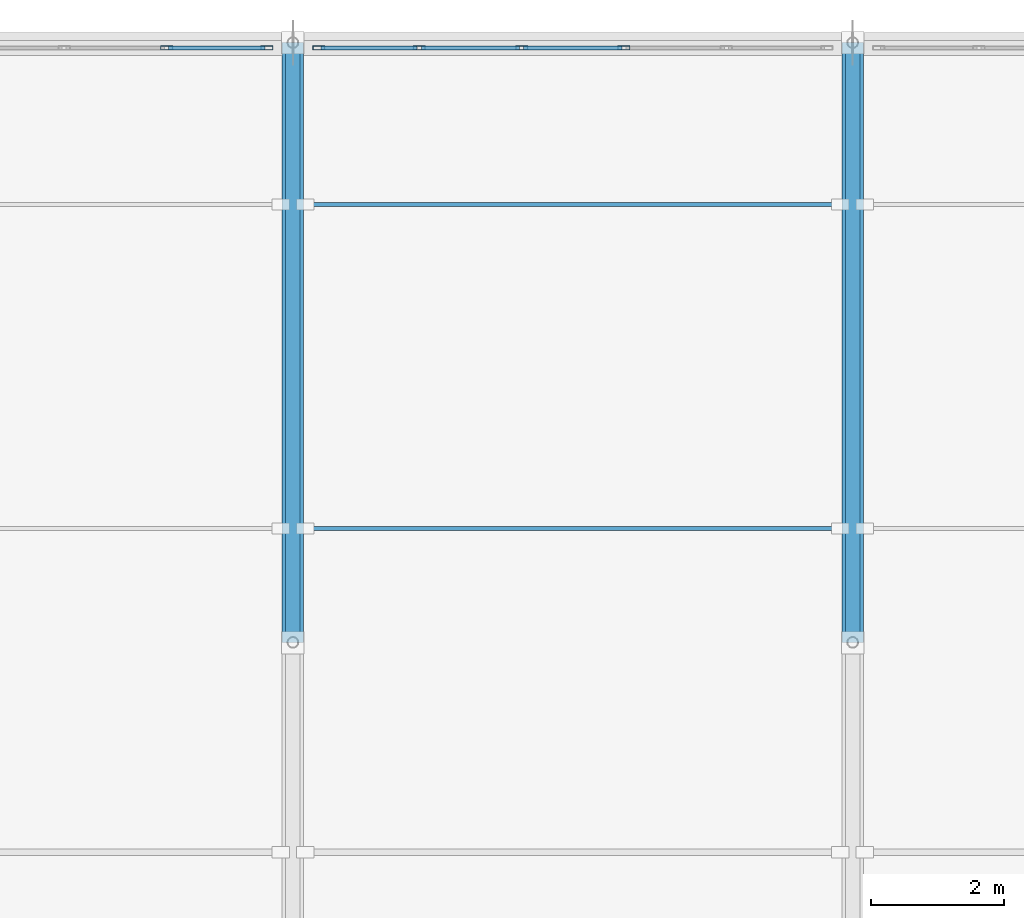
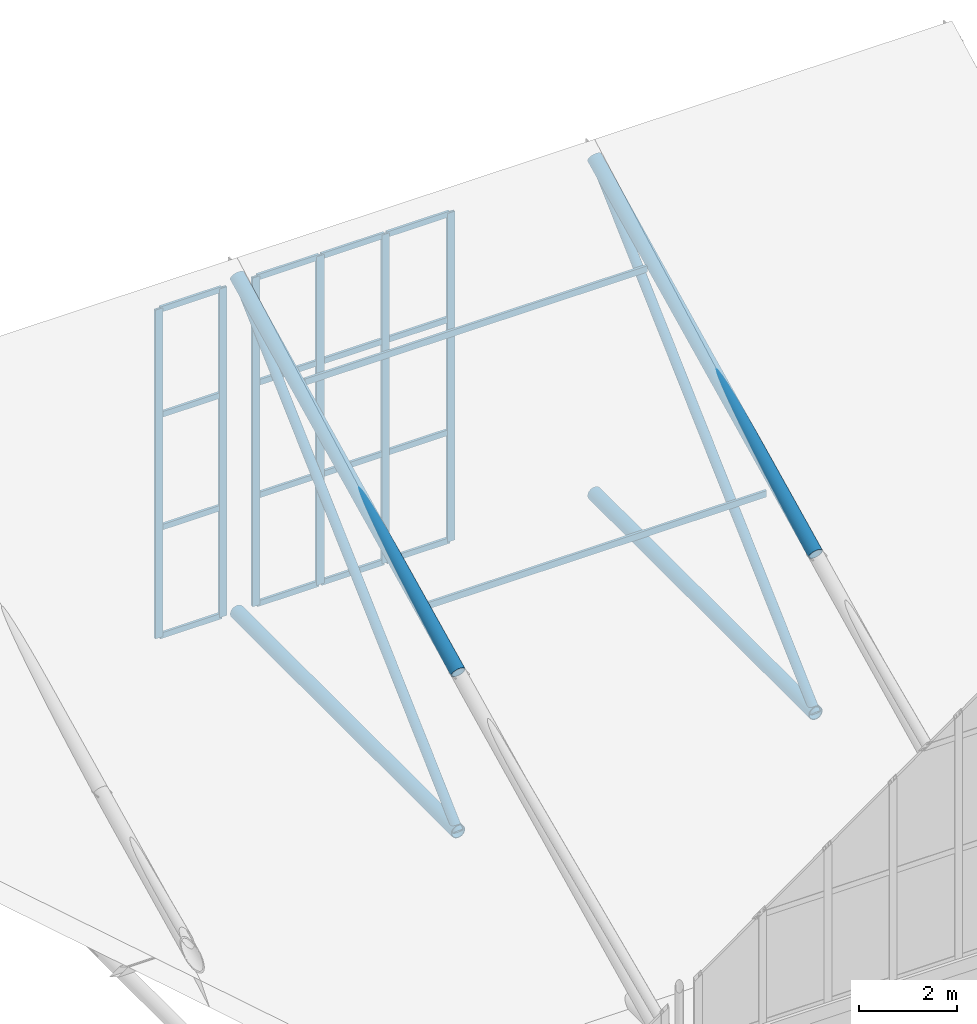
# One storey, part 26 of 38: 30 members, 2 elements without a shape of their own.
"""IFC4 building model written with IfcOpenShell, lengths in metres."""

from ifc_helpers import new_model, si_unit, direction, frame, origin, origin_2d, place, context, subcontext, project, spatial, hollow_rectangle, hollow_circle, extrude, material, material_profile, profile_set, type_object, element, aggregate, save


model = new_model("IFC4")

# Units and contexts
model_context = context("Model", 3, precision=1e-05, world=origin(), true_north=direction((0.0, 1.0)))
body_context = subcontext(model_context, "Body", "Model", "MODEL_VIEW")
ifc_project = project(units=[si_unit("LENGTHUNIT", "METRE"), si_unit("AREAUNIT", "SQUARE_METRE"), si_unit("VOLUMEUNIT", "CUBIC_METRE"), si_unit("PLANEANGLEUNIT", "RADIAN"), si_unit("MASSUNIT", "GRAM", prefix="KILO")], contexts=[model_context])

# Site, building, storey
site_placement = place(None, origin())
site = spatial("IfcSite", under=ifc_project, at=site_placement, CompositionType="ELEMENT")
building_placement = place(site_placement, origin())
building = spatial("IfcBuilding", under=site, at=building_placement, Name="Veltarok Museum of Natural Sciences", CompositionType="ELEMENT")
storey_placement = place(building_placement, frame((0.0, 0.0, 31.199951171875)))
storey = spatial("IfcBuildingStorey", under=building, at=storey_placement, Name="RF", CompositionType="ELEMENT", Elevation=31.199951171875)

# Curtain wall, members
ifc_material_1 = material(Name="Low-iron triple insulated glass", Category="glass")
curtain_wall_type = type_object("IfcCurtainWallType", Name="Curtain Wall System CW-SAW-M2-768x817 (Sawtooth North Clerestory M2 768x817cm)", PredefinedType="NOTDEFINED", material=ifc_material_1)
curtain_wall_1_placement = place(storey_placement, origin())
curtain_wall_1 = element("IfcCurtainWall", 1, at=curtain_wall_1_placement, inside=storey, type_object=curtain_wall_type, Name="Curtain Wall CW-SAW-M2-768x817 CW-SAW-0081", PredefinedType="NOTDEFINED")
ifc_material_2 = material(Name="Thermally broken anodised aluminium", Category="aluminium")
ifc_material_profile_1 = material_profile(ifc_material_2, hollow_rectangle(XDim=0.06005859375, YDim=0.179931640625, WallThickness=0.006103515625, at=origin_2d()), Name="CW MULLION 60x180x6")
ifc_profile_set_1 = profile_set([ifc_material_profile_1], Name="Thermally broken anodised aluminium")
member_type_1 = type_object("IfcMemberType", Name="Sawtooth Clerestory Mullion 60x180x6", PredefinedType="MULLION", material=ifc_profile_set_1)
member_1_placement = place(storey_placement, frame((81.610107421875, 71.919921875, -5.719970703125), z_axis=(0.0, 0.0, 1.0), x_axis=(0.0, -1.0, 0.0)))
member_1 = element("IfcMember", 2, at=member_1_placement, type_object=member_type_1, Name="CW-SAW-M2-768x817 mullion 1", PredefinedType="MULLION", context=body_context, shape_type="SweptSolid", body=[
    extrude(hollow_rectangle(XDim=0.06005859375, YDim=0.179931640625, WallThickness=0.006103515625, at=origin_2d()), origin(), (0.0, 0.0, 1.0), 8.169921875),
])
member_2_placement = place(storey_placement, frame((80.10400390625, 71.919921875, -5.719970703125), z_axis=(0.0, 0.0, 1.0), x_axis=(0.0, -1.0, 0.0)))
member_2 = element("IfcMember", 3, at=member_2_placement, type_object=member_type_1, Name="CW-SAW-M2-768x817 mullion 2", PredefinedType="MULLION", context=body_context, shape_type="SweptSolid", body=[
    extrude(hollow_rectangle(XDim=0.06005859375, YDim=0.179931640625, WallThickness=0.006103515625, at=origin_2d()), origin(), (0.0, 0.0, 1.0), 8.169921875),
])

curtain_wall_2_placement = place(storey_placement, origin())
curtain_wall_2 = element("IfcCurtainWall", 4, at=curtain_wall_2_placement, inside=storey, type_object=curtain_wall_type, Name="Curtain Wall CW-SAW-M2-768x817 CW-SAW-0083", PredefinedType="NOTDEFINED")
member_3_placement = place(storey_placement, frame((86.968017578125, 71.919921875, -5.719970703125), z_axis=(0.0, 0.0, 1.0), x_axis=(0.0, -1.0, 0.0)))
member_3 = element("IfcMember", 5, at=member_3_placement, type_object=member_type_1, Name="CW-SAW-M2-768x817 mullion 3", PredefinedType="MULLION", context=body_context, shape_type="SweptSolid", body=[
    extrude(hollow_rectangle(XDim=0.06005859375, YDim=0.179931640625, WallThickness=0.006103515625, at=origin_2d()), origin(), (0.0, 0.0, 1.0), 8.169921875),
])
member_4_placement = place(storey_placement, frame((85.431884765625, 71.919921875, -5.719970703125), z_axis=(0.0, 0.0, 1.0), x_axis=(0.0, -1.0, 0.0)))
member_4 = element("IfcMember", 6, at=member_4_placement, type_object=member_type_1, Name="CW-SAW-M2-768x817 mullion 4", PredefinedType="MULLION", context=body_context, shape_type="SweptSolid", body=[
    extrude(hollow_rectangle(XDim=0.06005859375, YDim=0.179931640625, WallThickness=0.006103515625, at=origin_2d()), origin(), (0.0, 0.0, 1.0), 8.169921875),
])
member_5_placement = place(storey_placement, frame((83.89599609375, 71.919921875, -5.719970703125), z_axis=(0.0, 0.0, 1.0), x_axis=(0.0, -1.0, 0.0)))
member_5 = element("IfcMember", 7, at=member_5_placement, type_object=member_type_1, Name="CW-SAW-M2-768x817 mullion 5", PredefinedType="MULLION", context=body_context, shape_type="SweptSolid", body=[
    extrude(hollow_rectangle(XDim=0.06005859375, YDim=0.179931640625, WallThickness=0.006103515625, at=origin_2d()), origin(), (0.0, 0.0, 1.0), 8.169921875),
])
member_6_placement = place(storey_placement, frame((82.389892578125, 71.919921875, -5.719970703125), z_axis=(0.0, 0.0, 1.0), x_axis=(0.0, -1.0, 0.0)))
member_6 = element("IfcMember", 8, at=member_6_placement, type_object=member_type_1, Name="CW-SAW-M2-768x817 mullion 6", PredefinedType="MULLION", context=body_context, shape_type="SweptSolid", body=[
    extrude(hollow_rectangle(XDim=0.06005859375, YDim=0.179931640625, WallThickness=0.006103515625, at=origin_2d()), origin(), (0.0, 0.0, 1.0), 8.169921875),
])

# Member
ifc_material_profile_2 = material_profile(ifc_material_2, hollow_rectangle(XDim=0.06005859375, YDim=0.139892578125, WallThickness=0.0048828125, at=origin_2d()), Name="CW TRANSOM 60x140x5")
ifc_profile_set_2 = profile_set([ifc_material_profile_2], Name="Thermally broken anodised aluminium")
member_type_2 = type_object("IfcMemberType", Name="Sawtooth Clerestory Transom 60x140x5", PredefinedType="USERDEFINED", material=ifc_profile_set_2)
member_7_placement = place(storey_placement, frame((81.580078125, 71.919921875, -5.68994140625), z_axis=(-1.0, 0.0, 0.0), x_axis=(0.0, -1.0, 0.0)))
member_7 = element("IfcMember", 9, at=member_7_placement, type_object=member_type_2, Name="CW-SAW-M2-768x817 transom 1.1", ObjectType="TRANSOM", PredefinedType="USERDEFINED", context=body_context, shape_type="SweptSolid", body=[
    extrude(hollow_rectangle(XDim=0.06005859375, YDim=0.139892578125, WallThickness=0.0048828125, at=origin_2d()), origin(), (0.0, 0.0, 1.0), 1.446044921875),
])

member_8_placement = place(storey_placement, frame((81.580078125, 71.919921875, -3.0), z_axis=(-1.0, 0.0, 0.0), x_axis=(0.0, -1.0, 0.0)))
member_8 = element("IfcMember", 10, at=member_8_placement, type_object=member_type_2, Name="CW-SAW-M2-768x817 transom 1.2", ObjectType="TRANSOM", PredefinedType="USERDEFINED", context=body_context, shape_type="SweptSolid", body=[
    extrude(hollow_rectangle(XDim=0.06005859375, YDim=0.139892578125, WallThickness=0.0048828125, at=origin_2d()), origin(), (0.0, 0.0, 1.0), 1.446044921875),
])

member_9_placement = place(storey_placement, frame((81.580078125, 71.919921875, -0.199951171875), z_axis=(-1.0, 0.0, 0.0), x_axis=(0.0, -1.0, 0.0)))
member_9 = element("IfcMember", 11, at=member_9_placement, type_object=member_type_2, Name="CW-SAW-M2-768x817 transom 1.3", ObjectType="TRANSOM", PredefinedType="USERDEFINED", context=body_context, shape_type="SweptSolid", body=[
    extrude(hollow_rectangle(XDim=0.06005859375, YDim=0.139892578125, WallThickness=0.0048828125, at=origin_2d()), origin(), (0.0, 0.0, 1.0), 1.446044921875),
])

member_10_placement = place(storey_placement, frame((81.580078125, 71.919921875, 2.420166015625), z_axis=(-1.0, 0.0, 0.0), x_axis=(0.0, -1.0, 0.0)))
member_10 = element("IfcMember", 12, at=member_10_placement, type_object=member_type_2, Name="CW-SAW-M2-768x817 transom 1.4", ObjectType="TRANSOM", PredefinedType="USERDEFINED", context=body_context, shape_type="SweptSolid", body=[
    extrude(hollow_rectangle(XDim=0.06005859375, YDim=0.139892578125, WallThickness=0.0048828125, at=origin_2d()), origin(), (0.0, 0.0, 1.0), 1.446044921875),
])

aggregate(curtain_wall_1, [member_1, member_2, member_7, member_8, member_9, member_10])

member_11_placement = place(storey_placement, frame((86.93798828125, 71.919921875, -5.68994140625), z_axis=(-1.0, 0.0, 0.0), x_axis=(0.0, -1.0, 0.0)))
member_11 = element("IfcMember", 13, at=member_11_placement, type_object=member_type_2, Name="CW-SAW-M2-768x817 transom 3.1", ObjectType="TRANSOM", PredefinedType="USERDEFINED", context=body_context, shape_type="SweptSolid", body=[
    extrude(hollow_rectangle(XDim=0.06005859375, YDim=0.139892578125, WallThickness=0.0048828125, at=origin_2d()), origin(), (0.0, 0.0, 1.0), 1.47607421875),
])

member_12_placement = place(storey_placement, frame((86.93798828125, 71.919921875, -3.0), z_axis=(-1.0, 0.0, 0.0), x_axis=(0.0, -1.0, 0.0)))
member_12 = element("IfcMember", 14, at=member_12_placement, type_object=member_type_2, Name="CW-SAW-M2-768x817 transom 3.2", ObjectType="TRANSOM", PredefinedType="USERDEFINED", context=body_context, shape_type="SweptSolid", body=[
    extrude(hollow_rectangle(XDim=0.06005859375, YDim=0.139892578125, WallThickness=0.0048828125, at=origin_2d()), origin(), (0.0, 0.0, 1.0), 1.47607421875),
])

member_13_placement = place(storey_placement, frame((86.93798828125, 71.919921875, -0.199951171875), z_axis=(-1.0, 0.0, 0.0), x_axis=(0.0, -1.0, 0.0)))
member_13 = element("IfcMember", 15, at=member_13_placement, type_object=member_type_2, Name="CW-SAW-M2-768x817 transom 3.3", ObjectType="TRANSOM", PredefinedType="USERDEFINED", context=body_context, shape_type="SweptSolid", body=[
    extrude(hollow_rectangle(XDim=0.06005859375, YDim=0.139892578125, WallThickness=0.0048828125, at=origin_2d()), origin(), (0.0, 0.0, 1.0), 1.47607421875),
])

member_14_placement = place(storey_placement, frame((86.93798828125, 71.919921875, 2.420166015625), z_axis=(-1.0, 0.0, 0.0), x_axis=(0.0, -1.0, 0.0)))
member_14 = element("IfcMember", 16, at=member_14_placement, type_object=member_type_2, Name="CW-SAW-M2-768x817 transom 3.4", ObjectType="TRANSOM", PredefinedType="USERDEFINED", context=body_context, shape_type="SweptSolid", body=[
    extrude(hollow_rectangle(XDim=0.06005859375, YDim=0.139892578125, WallThickness=0.0048828125, at=origin_2d()), origin(), (0.0, 0.0, 1.0), 1.47607421875),
])

member_15_placement = place(storey_placement, frame((85.402099609375, 71.919921875, -5.68994140625), z_axis=(-1.0, 0.0, 0.0), x_axis=(0.0, -1.0, 0.0)))
member_15 = element("IfcMember", 17, at=member_15_placement, type_object=member_type_2, Name="CW-SAW-M2-768x817 transom 4.1", ObjectType="TRANSOM", PredefinedType="USERDEFINED", context=body_context, shape_type="SweptSolid", body=[
    extrude(hollow_rectangle(XDim=0.06005859375, YDim=0.139892578125, WallThickness=0.0048828125, at=origin_2d()), origin(), (0.0, 0.0, 1.0), 1.47607421875),
])

member_16_placement = place(storey_placement, frame((85.402099609375, 71.919921875, -3.0), z_axis=(-1.0, 0.0, 0.0), x_axis=(0.0, -1.0, 0.0)))
member_16 = element("IfcMember", 18, at=member_16_placement, type_object=member_type_2, Name="CW-SAW-M2-768x817 transom 4.2", ObjectType="TRANSOM", PredefinedType="USERDEFINED", context=body_context, shape_type="SweptSolid", body=[
    extrude(hollow_rectangle(XDim=0.06005859375, YDim=0.139892578125, WallThickness=0.0048828125, at=origin_2d()), origin(), (0.0, 0.0, 1.0), 1.47607421875),
])

member_17_placement = place(storey_placement, frame((85.402099609375, 71.919921875, -0.199951171875), z_axis=(-1.0, 0.0, 0.0), x_axis=(0.0, -1.0, 0.0)))
member_17 = element("IfcMember", 19, at=member_17_placement, type_object=member_type_2, Name="CW-SAW-M2-768x817 transom 4.3", ObjectType="TRANSOM", PredefinedType="USERDEFINED", context=body_context, shape_type="SweptSolid", body=[
    extrude(hollow_rectangle(XDim=0.06005859375, YDim=0.139892578125, WallThickness=0.0048828125, at=origin_2d()), origin(), (0.0, 0.0, 1.0), 1.47607421875),
])

member_18_placement = place(storey_placement, frame((85.402099609375, 71.919921875, 2.420166015625), z_axis=(-1.0, 0.0, 0.0), x_axis=(0.0, -1.0, 0.0)))
member_18 = element("IfcMember", 20, at=member_18_placement, type_object=member_type_2, Name="CW-SAW-M2-768x817 transom 4.4", ObjectType="TRANSOM", PredefinedType="USERDEFINED", context=body_context, shape_type="SweptSolid", body=[
    extrude(hollow_rectangle(XDim=0.06005859375, YDim=0.139892578125, WallThickness=0.0048828125, at=origin_2d()), origin(), (0.0, 0.0, 1.0), 1.47607421875),
])

member_19_placement = place(storey_placement, frame((83.865966796875, 71.919921875, -5.68994140625), z_axis=(-1.0, 0.0, 0.0), x_axis=(0.0, -1.0, 0.0)))
member_19 = element("IfcMember", 21, at=member_19_placement, type_object=member_type_2, Name="CW-SAW-M2-768x817 transom 5.1", ObjectType="TRANSOM", PredefinedType="USERDEFINED", context=body_context, shape_type="SweptSolid", body=[
    extrude(hollow_rectangle(XDim=0.06005859375, YDim=0.139892578125, WallThickness=0.0048828125, at=origin_2d()), origin(), (0.0, 0.0, 1.0), 1.446044921875),
])

member_20_placement = place(storey_placement, frame((83.865966796875, 71.919921875, -3.0), z_axis=(-1.0, 0.0, 0.0), x_axis=(0.0, -1.0, 0.0)))
member_20 = element("IfcMember", 22, at=member_20_placement, type_object=member_type_2, Name="CW-SAW-M2-768x817 transom 5.2", ObjectType="TRANSOM", PredefinedType="USERDEFINED", context=body_context, shape_type="SweptSolid", body=[
    extrude(hollow_rectangle(XDim=0.06005859375, YDim=0.139892578125, WallThickness=0.0048828125, at=origin_2d()), origin(), (0.0, 0.0, 1.0), 1.446044921875),
])

member_21_placement = place(storey_placement, frame((83.865966796875, 71.919921875, -0.199951171875), z_axis=(-1.0, 0.0, 0.0), x_axis=(0.0, -1.0, 0.0)))
member_21 = element("IfcMember", 23, at=member_21_placement, type_object=member_type_2, Name="CW-SAW-M2-768x817 transom 5.3", ObjectType="TRANSOM", PredefinedType="USERDEFINED", context=body_context, shape_type="SweptSolid", body=[
    extrude(hollow_rectangle(XDim=0.06005859375, YDim=0.139892578125, WallThickness=0.0048828125, at=origin_2d()), origin(), (0.0, 0.0, 1.0), 1.446044921875),
])

member_22_placement = place(storey_placement, frame((83.865966796875, 71.919921875, 2.420166015625), z_axis=(-1.0, 0.0, 0.0), x_axis=(0.0, -1.0, 0.0)))
member_22 = element("IfcMember", 24, at=member_22_placement, type_object=member_type_2, Name="CW-SAW-M2-768x817 transom 5.4", ObjectType="TRANSOM", PredefinedType="USERDEFINED", context=body_context, shape_type="SweptSolid", body=[
    extrude(hollow_rectangle(XDim=0.06005859375, YDim=0.139892578125, WallThickness=0.0048828125, at=origin_2d()), origin(), (0.0, 0.0, 1.0), 1.446044921875),
])

aggregate(curtain_wall_2, [member_3, member_4, member_5, member_6, member_11, member_12, member_13, member_14, member_15, member_16, member_17, member_18, member_19, member_20, member_21, member_22])

# Members
ifc_material_3 = material(Name="Steel S355J2", Category="steel")
ifc_material_profile_3 = material_profile(ifc_material_3, hollow_rectangle(XDim=0.06005859375, YDim=0.159912109375, WallThickness=0.0048828125, at=origin_2d()), Name="RHS 160x60x5")
ifc_profile_set_3 = profile_set([ifc_material_profile_3], Name="Steel S355J2")
member_type_3 = type_object("IfcMemberType", Name="Sawtooth Roof Purlin RHS 160x60x5", PredefinedType="PURLIN", material=ifc_profile_set_3)
for number, where, z_axis, x_axis, name in (
    (25, (82.179931640625, 64.7099609375, -1.310302734375), (1.0, 0.0, 0.0), (0.0, 1.0, 0.0), "Sawtooth Purlin 10-11 M2"),
    (26, (82.179931640625, 69.570068359375, 1.32958984375), (1.0, 0.0, 0.0), (0.0, 1.0, 0.0), "Sawtooth Purlin 10-11 M2"),
):
    element("IfcMember", number, at=place(storey_placement, frame(where, z_axis=z_axis, x_axis=x_axis)), inside=storey, type_object=member_type_3, Name=name, PredefinedType="PURLIN", context=body_context, shape_type="SweptSolid", body=[
        extrude(hollow_rectangle(XDim=0.06005859375, YDim=0.159912109375, WallThickness=0.0048828125, at=origin_2d()), origin(), (0.0, 0.0, 1.0), 8.0400390625),
    ])
ifc_material_4 = material(Name="Oxide-red painted Steel S355J2", Category="steel")
ifc_material_profile_4 = material_profile(ifc_material_4, hollow_circle(Radius=0.161865234375, WallThickness=0.01611328125, at=origin_2d()), Name="CHS 323.9x16")
ifc_profile_set_4 = profile_set([ifc_material_profile_4], Name="Oxide-red painted Steel S355J2")
member_type_4 = type_object("IfcMemberType", Name="Sawtooth Truss Chord CHS 323.9x16", PredefinedType="CHORD", material=ifc_profile_set_4)
member_23_placement = place(storey_placement, frame((82.0, 63.0, -5.800048828125), z_axis=(0.0, 1.0, 0.0), x_axis=(-1.0, 0.0, 0.0)))
element("IfcMember", 27, at=member_23_placement, inside=storey, type_object=member_type_4, Name="Roof Truss Bottom Chord 10 M2", PredefinedType="CHORD", context=body_context, shape_type="SweptSolid", body=[
    extrude(hollow_circle(Radius=0.161865234375, WallThickness=0.01611328125, at=origin_2d()), origin(), (0.0, 0.0, 1.0), 9.0),
])
member_24_placement = place(storey_placement, frame((82.0, 63.0, -1.849853515625), z_axis=(0.0, 0.898388207299, 0.439202264322), x_axis=(-1.0, 0.0, 0.0)))
element("IfcMember", 28, at=member_24_placement, inside=storey, type_object=member_type_4, Name="Roof Truss Top Chord 10 M2", PredefinedType="CHORD", context=body_context, shape_type="SweptSolid", body=[
    extrude(hollow_circle(Radius=0.161865234375, WallThickness=0.01611328125, at=origin_2d()), origin(), (0.0, 0.0, 1.0), 10.017822265625),
])
member_25_placement = place(storey_placement, frame((90.39990234375, 63.0, -5.800048828125), z_axis=(0.0, 1.0, 0.0), x_axis=(-1.0, 0.0, 0.0)))
element("IfcMember", 29, at=member_25_placement, inside=storey, type_object=member_type_4, Name="Roof Truss Bottom Chord 11 M2", PredefinedType="CHORD", context=body_context, shape_type="SweptSolid", body=[
    extrude(hollow_circle(Radius=0.161865234375, WallThickness=0.01611328125, at=origin_2d()), origin(), (0.0, 0.0, 1.0), 9.0),
])
member_26_placement = place(storey_placement, frame((90.39990234375, 63.0, -1.849853515625), z_axis=(0.0, 0.898388207299, 0.439202264322), x_axis=(-1.0, 0.0, 0.0)))
element("IfcMember", 30, at=member_26_placement, inside=storey, type_object=member_type_4, Name="Roof Truss Top Chord 11 M2", PredefinedType="CHORD", context=body_context, shape_type="SweptSolid", body=[
    extrude(hollow_circle(Radius=0.161865234375, WallThickness=0.01611328125, at=origin_2d()), origin(), (0.0, 0.0, 1.0), 10.017822265625),
])
ifc_material_profile_5 = material_profile(ifc_material_4, hollow_circle(Radius=0.109619140625, WallThickness=0.010009765625, at=origin_2d()), Name="CHS 219.1x10")
ifc_profile_set_5 = profile_set([ifc_material_profile_5], Name="Oxide-red painted Steel S355J2")
member_type_5 = type_object("IfcMemberType", Name="Sawtooth Truss Web Diagonal CHS 219.1x10", PredefinedType="BRACE", material=ifc_profile_set_5)
for number, where, z_axis, x_axis, name in (
    (31, (82.0, 63.0, -5.800048828125), (0.0, 0.733079568112, 0.680142887059), (-1.0, 0.0, 0.0), "Roof Truss Diagonal 10 M2"),
    (32, (90.39990234375, 63.0, -5.800048828125), (0.0, 0.733079568112, 0.680142887059), (-1.0, 0.0, 0.0), "Roof Truss Diagonal 11 M2"),
):
    element("IfcMember", number, at=place(storey_placement, frame(where, z_axis=z_axis, x_axis=x_axis)), inside=storey, type_object=member_type_5, Name=name, PredefinedType="BRACE", context=body_context, shape_type="SweptSolid", body=[
        extrude(hollow_circle(Radius=0.109619140625, WallThickness=0.010009765625, at=origin_2d()), origin(), (0.0, 0.0, 1.0), 12.27685546875),
    ])

save(model, "model.ifc")
